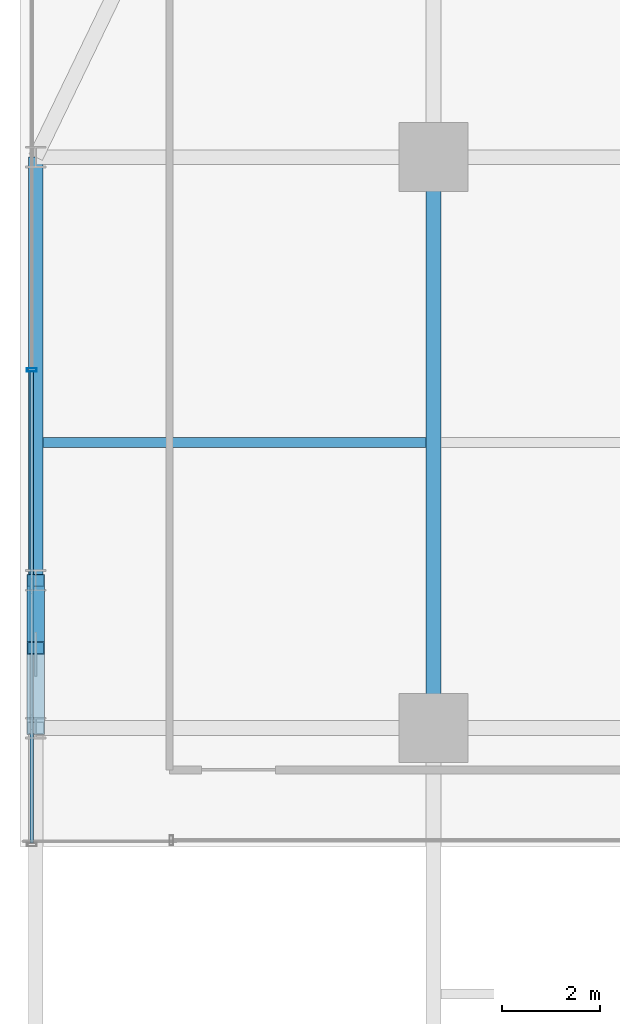
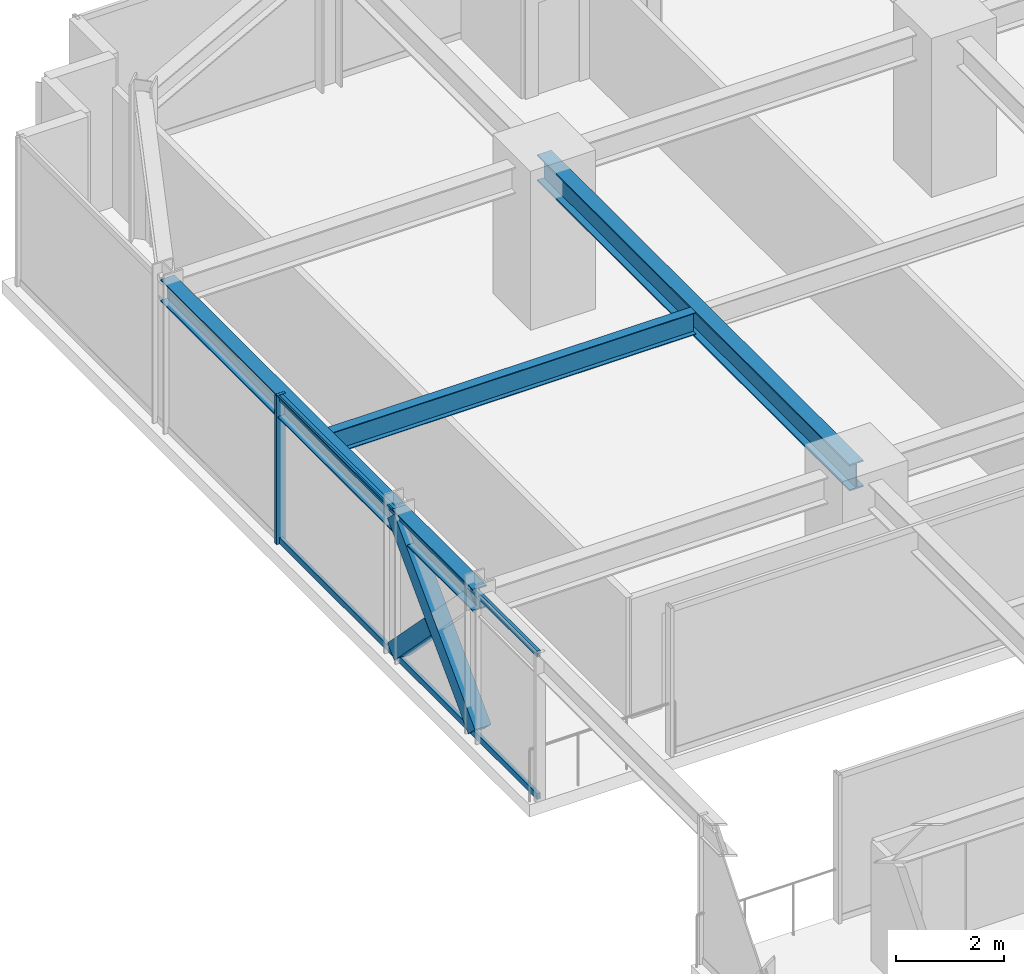
# One storey, part 24 of 47: 5 members, 4 beams, 1 element without a shape of its own.
"""IFC4 building model written with IfcOpenShell, lengths in metres."""

import ifcopenshell
import ifcopenshell.guid

model = None  # the IFC model being written
_history = None  # IfcOwnerHistory: only IFC2X3 demands one
_inside = {}  # id of a spatial element -> (the spatial element, [elements in it])
_under = {}  # id of a project, library or spatial element -> (it, [spatial elements below it])
_declared = {}  # id of a project -> (the project, [libraries it declares])
_typed = {}  # id of a type object -> (the type object, [elements of that type])
_made_of = {}  # id of a material, layer set ... -> (it, [elements and type objects made of it])


def new_model(schema):
    """Start an empty IFC model of exactly this schema.

    Asked for "IFC4X3", IfcOpenShell would pick the latest addendum, in which some entities
    have other attributes; the version numbers below select the first issue.
    IFC2X3 requires an IfcOwnerHistory on every rooted entity: one is made here for all.
    """
    global model, _history
    if schema == "IFC4X3":
        model = ifcopenshell.file(schema_version=(4, 3, 0, 0))
    else:
        model = ifcopenshell.file(schema=schema)
    _inside.clear()
    _under.clear()
    _declared.clear()
    _typed.clear()
    _made_of.clear()
    _history = None
    if model.schema == "IFC2X3":
        org = make("IfcOrganization", Name="unknown")
        user = make(
            "IfcPersonAndOrganization",
            ThePerson=make("IfcPerson", FamilyName="unknown"),
            TheOrganization=org,
        )
        app = make(
            "IfcApplication",
            ApplicationDeveloper=org,
            Version="unknown",
            ApplicationFullName="unknown",
            ApplicationIdentifier="unknown",
        )
        _history = make(
            "IfcOwnerHistory",
            OwningUser=user,
            OwningApplication=app,
            ChangeAction="ADDED",
            CreationDate=0,
        )
    return model


def make(cls, **values):
    """One entity of the class cls with the attributes given. An attribute that is None is left unset."""
    return model.create_entity(
        cls, **{name: value for name, value in values.items() if value is not None}
    )


def rooted(cls, **values):
    """An entity with a GlobalId (a new one), such as an element, a storey or a relation."""
    return make(cls, GlobalId=ifcopenshell.guid.new(), OwnerHistory=_history, **values)


def si_unit(unit_type, name, prefix=None):
    """IfcSIUnit, for example si_unit("LENGTHUNIT", "METRE", prefix="MILLI")."""
    return make("IfcSIUnit", UnitType=unit_type, Prefix=prefix, Name=name)


def assignment(units):
    """IfcUnitAssignment: the units of a project."""
    return None if units is None else make("IfcUnitAssignment", Units=units)


def point(xyz):
    """IfcCartesianPoint."""
    return None if xyz is None else make("IfcCartesianPoint", Coordinates=xyz)


def direction(xyz):
    """IfcDirection."""
    return None if xyz is None else make("IfcDirection", DirectionRatios=xyz)


def frame(location, z_axis=None, x_axis=None):
    """IfcAxis2Placement3D, a coordinate frame: its origin and axes. An axis left out is left unset."""
    return make(
        "IfcAxis2Placement3D",
        Location=point(location),
        Axis=direction(z_axis),
        RefDirection=direction(x_axis),
    )


def frame_2d(location, x_axis=None):
    """IfcAxis2Placement2D, a coordinate frame in the plane: its origin and x axis."""
    return make(
        "IfcAxis2Placement2D", Location=point(location), RefDirection=direction(x_axis)
    )


def origin():
    """The frame at (0, 0, 0) with its axes left unset."""
    return frame((0.0, 0.0, 0.0))


def origin_2d():
    """The frame at (0, 0) in the plane with its x axis left unset."""
    return frame_2d((0.0, 0.0))


def place(relative_to, where):
    """IfcLocalPlacement: puts the frame where relative to a parent placement (None: the world)."""
    return make(
        "IfcLocalPlacement", PlacementRelTo=relative_to, RelativePlacement=where
    )


def context(
    kind, dimensions, precision=None, world=None, true_north=None, identifier=None
):
    """IfcGeometricRepresentationContext, for example the 3D "Model" context."""
    return make(
        "IfcGeometricRepresentationContext",
        ContextIdentifier=identifier,
        ContextType=kind,
        CoordinateSpaceDimension=dimensions,
        Precision=precision,
        WorldCoordinateSystem=world,
        TrueNorth=true_north,
    )


def subcontext(parent, identifier, kind, view, scale=None):
    """IfcGeometricRepresentationSubContext, for example "Body" below "Model"."""
    return make(
        "IfcGeometricRepresentationSubContext",
        ContextIdentifier=identifier,
        ContextType=kind,
        ParentContext=parent,
        TargetScale=scale,
        TargetView=view,
    )


def project(units=None, contexts=None):
    """IfcProject with its units and contexts."""
    return rooted(
        "IfcProject",
        Name="project",
        RepresentationContexts=contexts,
        UnitsInContext=assignment(units),
    )


def spatial(cls, under=None, at=None, **own):
    """A site, building, storey or space (cls), placed at a placement, below another one or the project."""
    s = rooted(cls, ObjectPlacement=at, **own)
    if under is not None:
        _under.setdefault(under.id(), (under, []))[1].append(s)
    return s


def profile(cls, at=None, kind="AREA", **sizes):
    """A parametric profile (cls). Its sizes go by their IFC names, for example OverallWidth=200.0."""
    return make(cls, ProfileType=kind, Position=at, **sizes)


def hollow_rectangle(**sizes):
    """IfcRectangleHollowProfileDef."""
    return profile("IfcRectangleHollowProfileDef", **sizes)


def i_section(**sizes):
    """IfcIShapeProfileDef."""
    return profile("IfcIShapeProfileDef", **sizes)


def extrude(swept, where, along, depth):
    """IfcExtrudedAreaSolid: the profile swept, set in the frame where, extruded along a direction by depth."""
    return make(
        "IfcExtrudedAreaSolid",
        SweptArea=swept,
        Position=where,
        ExtrudedDirection=direction(along),
        Depth=depth,
    )


def shape(context_of_items, identifier, shape_type, items):
    """IfcShapeRepresentation: the items that make up one representation, for example the "Body"."""
    return make(
        "IfcShapeRepresentation",
        ContextOfItems=context_of_items,
        RepresentationIdentifier=identifier,
        RepresentationType=shape_type,
        Items=items,
    )


def source(mapping_origin, context_of_items, identifier, shape_type, items):
    """IfcRepresentationMap: a shape defined once, which mapped items show again and again."""
    return make(
        "IfcRepresentationMap",
        MappingOrigin=mapping_origin,
        MappedRepresentation=shape(context_of_items, identifier, shape_type, items),
    )


def transform(
    local_origin,
    x_axis=None,
    y_axis=None,
    z_axis=None,
    scale=None,
    scale2=None,
    scale3=None,
    uniform=True,
):
    """IfcCartesianTransformationOperator3D, or its non-uniform kind. x_axis, y_axis, z_axis: its Axis1, 2, 3."""
    if uniform:
        return make(
            "IfcCartesianTransformationOperator3D",
            Axis1=direction(x_axis),
            Axis2=direction(y_axis),
            LocalOrigin=point(local_origin),
            Scale=scale,
            Axis3=direction(z_axis),
        )
    return make(
        "IfcCartesianTransformationOperator3DnonUniform",
        Axis1=direction(x_axis),
        Axis2=direction(y_axis),
        LocalOrigin=point(local_origin),
        Scale=scale,
        Axis3=direction(z_axis),
        Scale2=scale2,
        Scale3=scale3,
    )


def mapped(mapping_source, mapping_target):
    """IfcMappedItem: shows the shape of a source again, moved by a transform."""
    return make(
        "IfcMappedItem", MappingSource=mapping_source, MappingTarget=mapping_target
    )


def material(Name=None, Category=None):
    """IfcMaterial."""
    return make("IfcMaterial", Name=Name, Category=Category)


def material_profile(
    of_material, cross_section, Name=None, Category=None, Priority=None
):
    """IfcMaterialProfile: a cross section and its material."""
    return make(
        "IfcMaterialProfile",
        Name=Name,
        Material=of_material,
        Profile=cross_section,
        Priority=Priority,
        Category=Category,
    )


def profile_set(profiles, Name=None, composite=None):
    """IfcMaterialProfileSet."""
    return make(
        "IfcMaterialProfileSet",
        Name=Name,
        MaterialProfiles=profiles,
        CompositeProfile=composite,
    )


def made_of(thing, what):
    """Note that an element or type object is made of a material, layer set ...; save() writes the relation."""
    if what is not None:
        _made_of.setdefault(what.id(), (what, []))[1].append(thing)
    return thing


def type_object(cls, material=None, **own):
    """A type object (cls), such as IfcWallType, which elements share."""
    return made_of(rooted(cls, **own), material)


def element(
    cls,
    number,
    at=None,
    inside=None,
    cuts=None,
    type_object=None,
    material=None,
    context=None,
    identifier="Body",
    shape_type=None,
    held_by="IfcProductDefinitionShape",
    body=None,
    shapes=None,
    **own,
):
    """One element of the class cls, such as IfcWall. Its Tag is "e" and its number.

    at: its placement. inside: the storey or other place that contains it. cuts: it is an
    opening in that element (IfcRelVoidsElement). A single representation is given by context,
    identifier, shape_type and body (its items); several are given by shapes. held_by: the class
    of the entity that holds the representations. save() writes the other relations.
    """
    e = rooted(cls, Tag="e%d" % number, ObjectPlacement=at, **own)
    if body is not None:
        shapes = [shape(context, identifier, shape_type, body)]
    if shapes is not None:
        e.Representation = make(held_by, Representations=shapes)
    if inside is not None:
        _inside.setdefault(inside.id(), (inside, []))[1].append(e)
    if cuts is not None:
        rooted(
            "IfcRelVoidsElement", RelatingBuildingElement=cuts, RelatedOpeningElement=e
        )
    if type_object is not None:
        _typed.setdefault(type_object.id(), (type_object, []))[1].append(e)
    return made_of(e, material)


def aggregate(whole, parts):
    """IfcRelAggregates: a whole, such as a stair, and the parts it consists of."""
    return rooted("IfcRelAggregates", RelatingObject=whole, RelatedObjects=parts)


def save(model, path):
    """Write the relations noted so far, then the file.

    IfcRelAggregates (storeys below a building ...), IfcRelContainedInSpatialStructure (elements
    in a storey), IfcRelDefinesByType, IfcRelAssociatesMaterial and IfcRelDeclares: one each for
    every whole, place, type object, material and project.
    """
    for whole, parts in _under.values():
        aggregate(whole, parts)
    for where, things in _inside.values():
        rooted(
            "IfcRelContainedInSpatialStructure",
            RelatedElements=things,
            RelatingStructure=where,
        )
    for kind, things in _typed.values():
        rooted("IfcRelDefinesByType", RelatedObjects=things, RelatingType=kind)
    for what, things in _made_of.values():
        rooted("IfcRelAssociatesMaterial", RelatedObjects=things, RelatingMaterial=what)
    for by, libraries in _declared.values():
        rooted("IfcRelDeclares", RelatingContext=by, RelatedDefinitions=libraries)
    model.write(path)


model = new_model("IFC4")

# Units and contexts
model_context = context("Model", 3, precision=1e-05, world=origin(), true_north=direction((0.0, 1.0)))
body_context = subcontext(model_context, "Body", "Model", "MODEL_VIEW")
ifc_project = project(units=[si_unit("LENGTHUNIT", "METRE"), si_unit("AREAUNIT", "SQUARE_METRE"), si_unit("VOLUMEUNIT", "CUBIC_METRE"), si_unit("PLANEANGLEUNIT", "RADIAN"), si_unit("MASSUNIT", "GRAM", prefix="KILO")], contexts=[model_context])

# Site, building, storey
site_placement = place(None, origin())
site = spatial("IfcSite", under=ifc_project, at=site_placement, CompositionType="ELEMENT")
building_placement = place(site_placement, origin())
building = spatial("IfcBuilding", under=site, at=building_placement, Name="Nahalor Promenade Grand Hotel", CompositionType="ELEMENT")
storey_placement = place(building_placement, frame((0.0, 0.0, 68.89990234375)))
storey = spatial("IfcBuildingStorey", under=building, at=storey_placement, Name="L16", CompositionType="ELEMENT", Elevation=68.89990234375)

# Beams
ifc_material_1 = material(Name="Steel S355JR", Category="steel")
ifc_material_profile_1 = material_profile(ifc_material_1, i_section(OverallWidth=0.3, OverallDepth=0.6, WebThickness=0.0155, FlangeThickness=0.03, at=origin_2d()), Name="HEB 600")
ifc_profile_set_1 = profile_set([ifc_material_profile_1], Name="Steel S355JR")
beam_type_1 = type_object("IfcBeamType", Name="Beam-Girder-HEB600", PredefinedType="BEAM", material=ifc_profile_set_1)
shared_shape_1 = source(origin(), body_context, "Body", "SweptSolid", [
    extrude(i_section(OverallWidth=0.3, OverallDepth=0.6, WebThickness=0.0155, FlangeThickness=0.03, at=origin_2d()), origin(), (0.0, 0.0, 1.0), 11.60009765625),
])
beam_1_placement = place(storey_placement, frame((-17.0, 5.39990234375, 3.070068359375), z_axis=(0.0, 1.0, 0.0), x_axis=(-1.0, 0.0, 0.0)))
element("IfcBeam", 1, at=beam_1_placement, inside=storey, type_object=beam_type_1, Name="BM-L16-GY-0-3", PredefinedType="BEAM", context=body_context, shape_type="MappedRepresentation", body=[
    mapped(shared_shape_1, transform((0.0, 0.0, 0.0), scale=1.0)),
])
ifc_material_profile_2 = material_profile(ifc_material_1, i_section(OverallWidth=0.3, OverallDepth=0.5, WebThickness=0.0145, FlangeThickness=0.028, at=origin_2d()), Name="HEB 500")
ifc_profile_set_2 = profile_set([ifc_material_profile_2], Name="Steel S355JR")
beam_type_2 = type_object("IfcBeamType", Name="Beam-Spandrel-HEB500", PredefinedType="SPANDREL", material=ifc_profile_set_2)
shared_shape_2 = source(origin(), body_context, "Body", "SweptSolid", [
    extrude(i_section(OverallWidth=0.3, OverallDepth=0.5, WebThickness=0.0145, FlangeThickness=0.028, at=origin_2d()), origin(), (0.0, 0.0, 1.0), 8.60009765625),
])
beam_2_placement = place(storey_placement, frame((-25.080078125, 8.39990234375, 3.1201171875), z_axis=(0.0, 1.0, 0.0), x_axis=(-1.0, 0.0, 0.0)))
element("IfcBeam", 2, at=beam_2_placement, inside=storey, type_object=beam_type_2, Name="BM-L16-SP-W-4", PredefinedType="SPANDREL", context=body_context, shape_type="MappedRepresentation", body=[
    mapped(shared_shape_2, transform((0.0, 0.0, 0.0), scale=1.0)),
])
shared_shape_3 = source(origin(), body_context, "Body", "SweptSolid", [
    extrude(i_section(OverallWidth=0.3, OverallDepth=0.5, WebThickness=0.0145, FlangeThickness=0.028, at=origin_2d()), origin(), (0.0, 0.0, 1.0), 3.0),
])
beam_3_placement = place(storey_placement, frame((-25.080078125, 5.39990234375, 3.1201171875), z_axis=(0.0, 1.0, 0.0), x_axis=(-1.0, 0.0, 0.0)))
element("IfcBeam", 3, at=beam_3_placement, inside=storey, type_object=beam_type_2, Name="BM-L16-SP-W-3", PredefinedType="SPANDREL", context=body_context, shape_type="MappedRepresentation", body=[
    mapped(shared_shape_3, transform((0.0, 0.0, 0.0), scale=1.0)),
])
ifc_material_profile_3 = material_profile(ifc_material_1, i_section(OverallWidth=0.2, OverallDepth=0.5, WebThickness=0.0102, FlangeThickness=0.016, at=origin_2d()), Name="IPE 500")
ifc_profile_set_3 = profile_set([ifc_material_profile_3], Name="Steel S355JR")
beam_type_3 = type_object("IfcBeamType", Name="Beam-Joist-IPE500", PredefinedType="JOIST", material=ifc_profile_set_3)
shared_shape_4 = source(origin(), body_context, "Body", "SweptSolid", [
    extrude(i_section(OverallWidth=0.2, OverallDepth=0.5, WebThickness=0.0102, FlangeThickness=0.016, at=origin_2d()), origin(), (0.0, 0.0, 1.0), 7.780029296875),
])
beam_4_placement = place(storey_placement, frame((-24.929931640625, 11.199951171875, 3.1201171875), z_axis=(1.0, 0.0, 0.0), x_axis=(0.0, 1.0, 0.0)))
element("IfcBeam", 4, at=beam_4_placement, inside=storey, type_object=beam_type_3, Name="BM-L16-JSW-1-0", PredefinedType="JOIST", context=body_context, shape_type="MappedRepresentation", body=[
    mapped(shared_shape_4, transform((0.0, 0.0, 0.0), scale=1.0)),
])

# Members
ifc_material_profile_4 = material_profile(ifc_material_1, hollow_rectangle(XDim=0.35, YDim=0.35, WallThickness=0.02, at=origin_2d()), Name="SHS 350x350x20")
ifc_profile_set_4 = profile_set([ifc_material_profile_4], Name="Steel S355JR")
member_type_1 = type_object("IfcMemberType", Name="Mem-VoidBrace-SHS350", PredefinedType="BRACE", material=ifc_profile_set_4)
shared_shape_5 = source(origin(), body_context, "Body", "SweptSolid", [
    extrude(hollow_rectangle(XDim=0.35, YDim=0.35, WallThickness=0.02, at=origin_2d()), origin(), (0.0, 0.0, 1.0), 4.29248046875),
])
member_1_placement = place(storey_placement, frame((-25.080078125, 5.39990234375, 0.150146484375), z_axis=(0.0, 0.698897904453, 0.715221447631), x_axis=(-1.0, 0.0, 0.0)))
element("IfcMember", 5, at=member_1_placement, inside=storey, type_object=member_type_1, Name="EXO-L16-VX1-W1", PredefinedType="BRACE", context=body_context, shape_type="MappedRepresentation", body=[
    mapped(shared_shape_5, transform((0.0, 0.0, 0.0), scale=1.0)),
])
shared_shape_6 = source(origin(), body_context, "Body", "SweptSolid", [
    extrude(hollow_rectangle(XDim=0.35, YDim=0.35, WallThickness=0.02, at=origin_2d()), origin(), (0.0, 0.0, 1.0), 1.958984375),
])
member_2_placement = place(storey_placement, frame((-25.080078125, 8.39990234375, 0.150146484375), z_axis=(0.0, -0.698896728293, 0.715222596946), x_axis=(1.0, 0.0, 0.0)))
element("IfcMember", 6, at=member_2_placement, inside=storey, type_object=member_type_1, Name="EXO-L16-VX2-W1A", PredefinedType="BRACE", context=body_context, shape_type="MappedRepresentation", body=[
    mapped(shared_shape_6, transform((0.0, 0.0, 0.0), scale=1.0)),
])

# Curtain wall, members
ifc_material_2 = material(Name="Anodised Bronze Aluminium EN AW-6063 T6", Category="aluminium")
curtain_wall_type = type_object("IfcCurtainWallType", Name="CW3 Elliptical-Void Collar Unitised Curtain Wall", PredefinedType="USERDEFINED", material=ifc_material_2)
curtain_wall_placement = place(storey_placement, origin())
curtain_wall = element("IfcCurtainWall", 7, at=curtain_wall_placement, inside=storey, type_object=curtain_wall_type, Name="L16 Curtain Wall CW-L16-W-2", ObjectType="UNITISED_CURTAIN_WALL", PredefinedType="USERDEFINED")
ifc_material_profile_5 = material_profile(ifc_material_2, hollow_rectangle(XDim=0.07, YDim=0.14, WallThickness=0.004, at=origin_2d()), Name="CWT 70x140x4")
ifc_profile_set_5 = profile_set([ifc_material_profile_5], Name="Anodised Bronze Aluminium EN AW-6063 T6")
member_type_2 = type_object("IfcMemberType", Name="CWT3 Void Collar Transom 70x140", PredefinedType="USERDEFINED", material=ifc_profile_set_5)
shared_shape_7 = source(origin(), body_context, "Body", "SweptSolid", [
    extrude(hollow_rectangle(XDim=0.07, YDim=0.14, WallThickness=0.004, at=origin_2d()), origin(), (0.0, 0.0, 1.0), 9.575439453125),
])
member_3_placement = place(storey_placement, frame((-25.159912109375, 3.069091796875, 0.070068359375), z_axis=(0.0, 1.0, 0.0), x_axis=(-1.0, 0.0, 0.0)))
member_3 = element("IfcMember", 8, at=member_3_placement, type_object=member_type_2, Name="CW-L16-W-2 Transom 0-0", ObjectType="TRANSOM", PredefinedType="USERDEFINED", context=body_context, shape_type="MappedRepresentation", body=[
    mapped(shared_shape_7, transform((0.0, 0.0, 0.0), scale=1.0)),
])
member_4_placement = place(storey_placement, frame((-25.159912109375, 3.069091796875, 3.300048828125), z_axis=(0.0, 1.0, 0.0), x_axis=(-1.0, 0.0, 0.0)))
member_4 = element("IfcMember", 9, at=member_4_placement, type_object=member_type_2, Name="CW-L16-W-2 Transom 0-1", ObjectType="TRANSOM", PredefinedType="USERDEFINED", context=body_context, shape_type="MappedRepresentation", body=[
    mapped(shared_shape_7, transform((0.0, 0.0, 0.0), scale=1.0)),
])
ifc_material_profile_6 = material_profile(ifc_material_2, hollow_rectangle(XDim=0.07, YDim=0.2, WallThickness=0.005, at=origin_2d()), Name="CWM 70x200x5")
ifc_profile_set_6 = profile_set([ifc_material_profile_6], Name="Anodised Bronze Aluminium EN AW-6063 T6")
member_type_3 = type_object("IfcMemberType", Name="CWM3 Void Collar Mullion 70x200", PredefinedType="MULLION", material=ifc_profile_set_6)
shared_shape_8 = source(origin(), body_context, "Body", "SweptSolid", [
    extrude(hollow_rectangle(XDim=0.07, YDim=0.2, WallThickness=0.005, at=origin_2d()), origin(), (0.0, 0.0, 1.0), 3.3701171875),
])
member_5_placement = place(storey_placement, frame((-25.159912109375, 12.679443359375, 0.0), z_axis=(0.0, 0.0, 1.0), x_axis=(0.0, 1.0, 0.0)))
member_5 = element("IfcMember", 10, at=member_5_placement, type_object=member_type_3, Name="CW-L16-W-2 Mullion 1", PredefinedType="MULLION", context=body_context, shape_type="MappedRepresentation", body=[
    mapped(shared_shape_8, transform((0.0, 0.0, 0.0), scale=1.0)),
])
aggregate(curtain_wall, [member_5, member_3, member_4])

save(model, "model.ifc")
